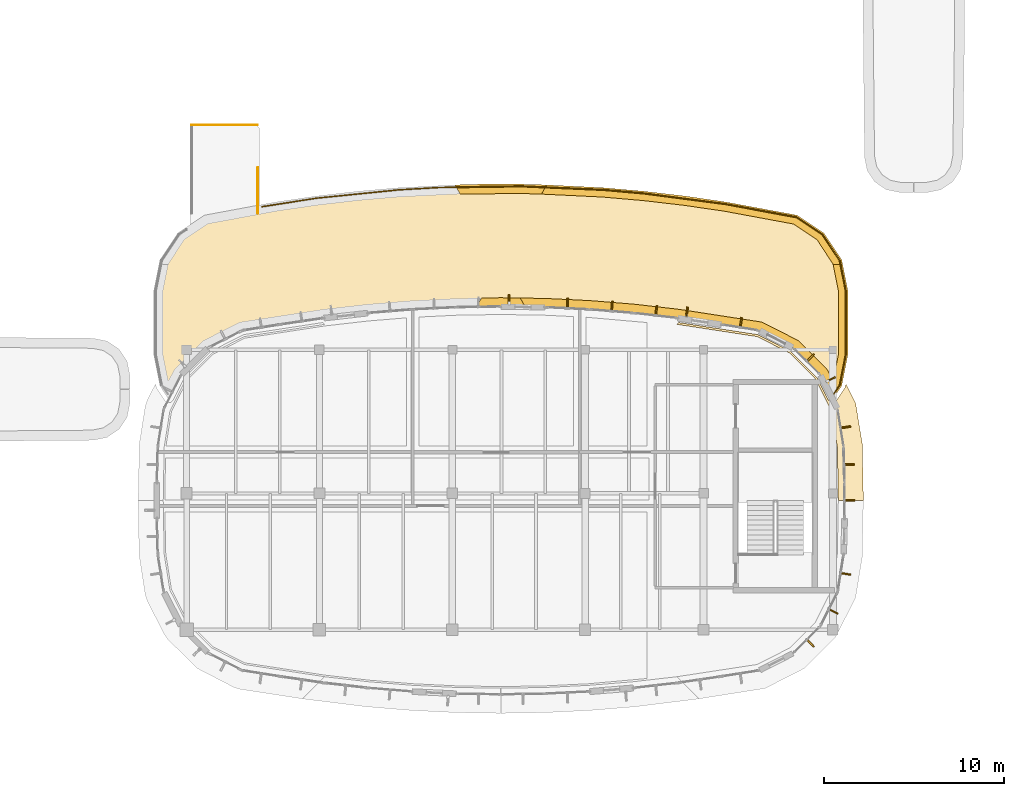
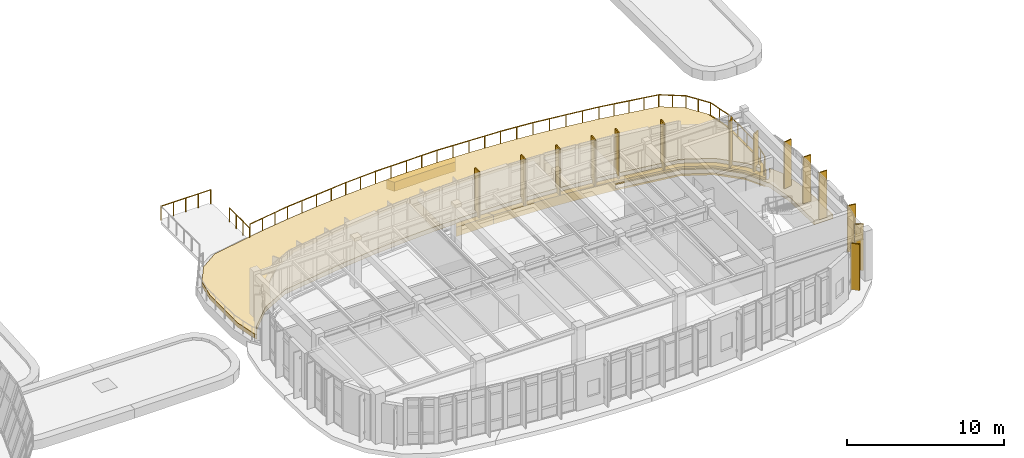
# One storey, part 101 of 111: 20 coverings, 3 railings, 3 shading devices.
"""IFC4 building model written with IfcOpenShell, lengths in metres."""

from ifc_helpers import new_model, si_unit, direction, frame, origin, origin_2d, place, context, subcontext, project, spatial, polyline, rectangle, circle, outline, extrude, material, layer, layer_set, type_object, element, save


model = new_model("IFC4")

# Units and contexts
model_context = context("Model", 3, precision=1e-05, world=origin(), true_north=direction((0.0, 1.0)))
body_context = subcontext(model_context, "Body", "Model", "MODEL_VIEW")
ifc_project = project(units=[si_unit("LENGTHUNIT", "METRE"), si_unit("AREAUNIT", "SQUARE_METRE"), si_unit("VOLUMEUNIT", "CUBIC_METRE"), si_unit("PLANEANGLEUNIT", "RADIAN"), si_unit("MASSUNIT", "GRAM", prefix="KILO")], contexts=[model_context])

# Site, building, storey
site_placement = place(None, origin())
site = spatial("IfcSite", under=ifc_project, at=site_placement, CompositionType="ELEMENT")
building_placement = place(site_placement, origin())
building = spatial("IfcBuilding", under=site, at=building_placement, Name="Corveleigh Park Community Centre", CompositionType="ELEMENT")
storey_placement = place(building_placement, frame((0.0, 0.0, 4.800048828125)))
storey = spatial("IfcBuildingStorey", under=building, at=storey_placement, Name="L01", CompositionType="ELEMENT", Elevation=4.800048828125)

# Coverings
ifc_material_1 = material(Name="Warm buff ribbed architectural cladding", Category="masonry")
ifc_layer_1 = layer(ifc_material_1, 0.0849609375, Name="Warm buff ribbed architectural cladding", Category="masonry")
ifc_layer_set_1 = layer_set([ifc_layer_1], Name="Warm buff ribbed architectural cladding")
covering_type_1 = type_object("IfcCoveringType", Name="COV-CLD-BUF", PredefinedType="CLADDING", material=ifc_layer_set_1)
covering_1_placement = place(storey_placement, origin())
element("IfcCovering", 1, at=covering_1_placement, inside=storey, type_object=covering_type_1, Name="V3 L01 Brise-soleil blade 210", PredefinedType="CLADDING", context=body_context, shape_type="SweptSolid", body=[
    extrude(outline(polyline([(106.56494140625, 10.695068359375), (106.5048828125, 10.635009765625), (106.9150390625, 10.22509765625), (106.97509765625, 10.284912109375), (106.56494140625, 10.695068359375)])), origin(), (0.0, 0.0, 1.0), 3.619873046875),
])
covering_2_placement = place(storey_placement, origin())
element("IfcCovering", 2, at=covering_2_placement, inside=storey, type_object=covering_type_1, Name="V3 L01 Brise-soleil blade 211", PredefinedType="CLADDING", context=body_context, shape_type="SweptSolid", body=[
    extrude(outline(polyline([(107.784912109375, 12.39794921875), (107.7470703125, 12.322021484375), (108.263916015625, 12.05908203125), (108.302001953125, 12.135009765625), (107.784912109375, 12.39794921875)])), origin(), (0.0, 0.0, 1.0), 3.619873046875),
])
covering_3_placement = place(storey_placement, origin())
element("IfcCovering", 3, at=covering_3_placement, inside=storey, type_object=covering_type_1, Name="V3 L01 Brise-soleil blade 212", PredefinedType="CLADDING", context=body_context, shape_type="SweptSolid", body=[
    extrude(outline(polyline([(108.422119140625, 14.404052734375), (108.408935546875, 14.320068359375), (108.98095703125, 14.22900390625), (108.9951171875, 14.31298828125), (108.422119140625, 14.404052734375)])), origin(), (0.0, 0.0, 1.0), 3.619873046875),
])
covering_4_placement = place(storey_placement, origin())
element("IfcCovering", 4, at=covering_4_placement, inside=storey, type_object=covering_type_1, Name="V3 L01 Brise-soleil blade 213", PredefinedType="CLADDING", context=body_context, shape_type="SweptSolid", body=[
    extrude(outline(polyline([(108.632080078125, 18.44189453125), (108.632080078125, 18.35693359375), (109.2119140625, 18.35693359375), (109.2119140625, 18.44189453125), (108.632080078125, 18.44189453125)])), origin(), (0.0, 0.0, 1.0), 3.656982421875),
])
covering_5_placement = place(storey_placement, origin())
element("IfcCovering", 5, at=covering_5_placement, inside=storey, type_object=covering_type_1, Name="V3 L01 Brise-soleil blade 214", PredefinedType="CLADDING", context=body_context, shape_type="SweptSolid", body=[
    extrude(outline(polyline([(108.60498046875, 20.43701171875), (108.60693359375, 20.35205078125), (109.18701171875, 20.366943359375), (109.18505859375, 20.451904296875), (108.60498046875, 20.43701171875)])), origin(), (0.0, 0.0, 1.0), 3.656982421875),
])
covering_6_placement = place(storey_placement, origin())
element("IfcCovering", 6, at=covering_6_placement, inside=storey, type_object=covering_type_1, Name="V3 L01 Brise-soleil blade 215", PredefinedType="CLADDING", context=body_context, shape_type="SweptSolid", body=[
    extrude(outline(polyline([(108.408935546875, 22.47998046875), (108.422119140625, 22.39599609375), (108.9951171875, 22.487060546875), (108.98095703125, 22.571044921875), (108.408935546875, 22.47998046875)])), origin(), (0.0, 0.0, 1.0), 3.656982421875),
])
covering_7_placement = place(storey_placement, origin())
element("IfcCovering", 7, at=covering_7_placement, inside=storey, type_object=covering_type_1, Name="V3 L01 Brise-soleil blade 216", PredefinedType="CLADDING", context=body_context, shape_type="SweptSolid", body=[
    extrude(outline(polyline([(107.64111328125, 25.070068359375), (107.679931640625, 24.9951171875), (108.156005859375, 25.238037109375), (108.117919921875, 25.31298828125), (107.64111328125, 25.070068359375)])), origin(), (0.0, 0.0, 1.0), 2.969970703125),
])
covering_8_placement = place(storey_placement, origin())
element("IfcCovering", 8, at=covering_8_placement, inside=storey, type_object=covering_type_1, Name="V3 L01 Brise-soleil blade 217", PredefinedType="CLADDING", context=body_context, shape_type="SweptSolid", body=[
    extrude(outline(polyline([(106.5048828125, 26.1650390625), (106.56494140625, 26.10498046875), (106.97509765625, 26.514892578125), (106.9150390625, 26.574951171875), (106.5048828125, 26.1650390625)])), origin(), (0.0, 0.0, 1.0), 3.656982421875),
])
covering_9_placement = place(storey_placement, origin())
element("IfcCovering", 9, at=covering_9_placement, inside=storey, type_object=covering_type_1, Name="V3 L01 Brise-soleil blade 218", PredefinedType="CLADDING", context=body_context, shape_type="SweptSolid", body=[
    extrude(outline(polyline([(102.7900390625, 28.02294921875), (102.8740234375, 28.010009765625), (102.965087890625, 28.58203125), (102.881103515625, 28.595947265625), (102.7900390625, 28.02294921875)])), origin(), (0.0, 0.0, 1.0), 3.612060546875),
])
covering_10_placement = place(storey_placement, origin())
element("IfcCovering", 10, at=covering_10_placement, inside=storey, type_object=covering_type_1, Name="V3 L01 Brise-soleil blade 219", PredefinedType="CLADDING", context=body_context, shape_type="SweptSolid", body=[
    extrude(outline(polyline([(99.791015625, 28.654052734375), (99.875, 28.64111328125), (99.952880859375, 29.1708984375), (99.868896484375, 29.18310546875), (99.791015625, 28.654052734375)])), origin(), (0.0, 0.0, 1.0), 3.612060546875),
])
covering_11_placement = place(storey_placement, origin())
element("IfcCovering", 11, at=covering_11_placement, inside=storey, type_object=covering_type_1, Name="V3 L01 Brise-soleil blade 220", PredefinedType="CLADDING", context=body_context, shape_type="SweptSolid", body=[
    extrude(outline(polyline([(98.083984375, 28.68603515625), (98.16796875, 28.677001953125), (98.23388671875, 29.2529296875), (98.14990234375, 29.262939453125), (98.083984375, 28.68603515625)])), origin(), (0.0, 0.0, 1.0), 3.612060546875),
])
covering_12_placement = place(storey_placement, origin())
element("IfcCovering", 12, at=covering_12_placement, inside=storey, type_object=covering_type_1, Name="V3 L01 Brise-soleil blade 221", PredefinedType="CLADDING", context=body_context, shape_type="SweptSolid", body=[
    extrude(outline(polyline([(95.6259765625, 28.926025390625), (95.7099609375, 28.9189453125), (95.757080078125, 29.4970703125), (95.673095703125, 29.50390625), (95.6259765625, 28.926025390625)])), origin(), (0.0, 0.0, 1.0), 3.612060546875),
])
covering_13_placement = place(storey_placement, origin())
element("IfcCovering", 13, at=covering_13_placement, inside=storey, type_object=covering_type_1, Name="V3 L01 Brise-soleil blade 222", PredefinedType="CLADDING", context=body_context, shape_type="SweptSolid", body=[
    extrude(outline(polyline([(93.160888671875, 29.0849609375), (93.2451171875, 29.0810546875), (93.27392578125, 29.659912109375), (93.18896484375, 29.6640625), (93.160888671875, 29.0849609375)])), origin(), (0.0, 0.0, 1.0), 3.612060546875),
])
covering_14_placement = place(storey_placement, origin())
element("IfcCovering", 14, at=covering_14_placement, inside=storey, type_object=covering_type_1, Name="V3 L01 Brise-soleil blade 223", PredefinedType="CLADDING", context=body_context, shape_type="SweptSolid", body=[
    extrude(outline(polyline([(89.9189453125, 29.3310546875), (90.00390625, 29.330078125), (90.011962890625, 29.864990234375), (89.927001953125, 29.865966796875), (89.9189453125, 29.3310546875)])), origin(), (0.0, 0.0, 1.0), 3.612060546875),
])
ifc_material_2 = material(Name="White architectural fascia cladding", Category="masonry")
ifc_layer_2 = layer(ifc_material_2, 0.074951171875, Name="White architectural fascia cladding", Category="masonry")
ifc_layer_set_2 = layer_set([ifc_layer_2], Name="White architectural fascia cladding")
covering_type_2 = type_object("IfcCoveringType", Name="COV-CLD-WHT", PredefinedType="CLADDING", material=ifc_layer_set_2)
covering_15_placement = place(storey_placement, frame((0.0, 0.0, -0.679931640625)))
element("IfcCovering", 15, at=covering_15_placement, inside=storey, type_object=covering_type_2, Name="Banquet Courtyard Roof Terrace Sweeping White Edge Band 1", PredefinedType="CLADDING", context=body_context, shape_type="SweptSolid", body=[
    extrude(outline(polyline([(92.06494140625, 35.98193359375), (95.208984375, 35.824951171875), (97.486083984375, 35.626953125), (99.758056640625, 35.363037109375), (102.02099609375, 35.032958984375), (106.008056640625, 34.2939453125), (107.4990234375, 33.299072265625), (108.488037109375, 31.822021484375), (108.5439453125, 31.55810546875), (108.013916015625, 31.55810546875), (107.125, 32.925048828125), (105.81298828125, 33.802978515625), (101.93798828125, 34.52001953125), (99.69091796875, 34.846923828125), (97.43408203125, 35.10888671875), (95.172119140625, 35.305908203125), (91.76904296875, 35.469970703125), (92.06494140625, 35.98193359375)])), origin(), (0.0, 0.0, 1.0), 0.719970703125),
])
covering_16_placement = place(storey_placement, frame((0.0, 0.0, -0.679931640625)))
element("IfcCovering", 16, at=covering_16_placement, inside=storey, type_object=covering_type_2, Name="Banquet Courtyard Roof Terrace Sweeping White Edge Band 2", PredefinedType="CLADDING", context=body_context, shape_type="SweptSolid", body=[
    extrude(outline(polyline([(88.35693359375, 36.02294921875), (90.64208984375, 36.02294921875), (92.05908203125, 35.98193359375), (91.763916015625, 35.469970703125), (90.635009765625, 35.5029296875), (87.240966796875, 35.470947265625), (86.946044921875, 35.98193359375), (88.35693359375, 36.02294921875)])), origin(), (0.0, 0.0, 1.0), 0.719970703125),
])
covering_17_placement = place(storey_placement, frame((0.0, 0.0, -0.679931640625)))
element("IfcCovering", 17, at=covering_17_placement, inside=storey, type_object=covering_type_2, Name="Banquet Courtyard Roof Terrace Sweeping White Edge Band 5", PredefinedType="CLADDING", context=body_context, shape_type="SweptSolid", body=[
    extrude(outline(polyline([(90.883056640625, 29.156005859375), (88.1220703125, 29.156005859375), (88.425048828125, 29.680908203125), (89.508056640625, 29.697998046875), (90.580078125, 29.680908203125), (90.883056640625, 29.156005859375)])), origin(), (0.0, 0.0, 1.0), 0.719970703125),
])
covering_18_placement = place(storey_placement, frame((0.0, 0.0, -0.679931640625)))
element("IfcCovering", 18, at=covering_18_placement, inside=storey, type_object=covering_type_2, Name="Banquet Courtyard Roof Terrace Sweeping White Edge Band 6", PredefinedType="CLADDING", context=body_context, shape_type="SweptSolid", body=[
    extrude(outline(polyline([(108.839111328125, 30.072021484375), (108.839111328125, 26.528076171875), (108.491943359375, 24.784912109375), (107.98291015625, 24.052978515625), (107.280029296875, 25.382080078125), (105.783935546875, 26.87890625), (103.89306640625, 27.842041015625), (99.35302734375, 28.535888671875), (96.89892578125, 28.81689453125), (94.43603515625, 29.01806640625), (90.885986328125, 29.156005859375), (90.5830078125, 29.680908203125), (91.992919921875, 29.656982421875), (94.4619140625, 29.537109375), (96.9580078125, 29.333984375), (99.430908203125, 29.050048828125), (104.052001953125, 28.337890625), (106.090087890625, 27.300048828125), (107.653076171875, 25.7451171875), (108.02001953125, 25.074951171875), (108.320068359375, 26.5830078125), (108.320068359375, 30.01708984375), (108.01708984375, 31.5400390625), (108.548095703125, 31.5390625), (108.839111328125, 30.072021484375)])), origin(), (0.0, 0.0, 1.0), 0.719970703125),
])
covering_19_placement = place(storey_placement, frame((0.0, 0.0, -0.300048828125)))
element("IfcCovering", 19, at=covering_19_placement, inside=storey, type_object=covering_type_2, Name="V3 L01 Horizontal Sun-Hood 1", PredefinedType="CLADDING", context=body_context, shape_type="SweptSolid", body=[
    extrude(outline(polyline([(103.826904296875, 27.639892578125), (105.658935546875, 26.70703125), (107.10791015625, 25.257080078125), (107.759033203125, 23.97998046875), (107.861083984375, 23.8740234375), (108.029052734375, 23.846923828125), (108.175048828125, 23.93408203125), (108.675048828125, 24.681884765625), (108.73095703125, 24.904052734375), (109.26611328125, 23.825927734375), (109.636962890625, 21.56396484375), (109.701904296875, 18.409912109375), (108.302001953125, 18.408935546875), (108.2509765625, 21.367919921875), (107.929931640625, 23.39111328125), (107.013916015625, 25.18896484375), (105.589111328125, 26.614013671875), (103.791015625, 27.530029296875), (99.322021484375, 28.2119140625), (99.423095703125, 28.31298828125), (103.826904296875, 27.639892578125)])), origin(), (0.0, 0.0, 1.0), 0.340087890625),
])
ifc_material_3 = material(Name="Extensive sedum roof build-up", Category="masonry")
ifc_layer_3 = layer(ifc_material_3, 0.35009765625, Name="Extensive sedum roof build-up", Category="masonry")
ifc_layer_set_3 = layer_set([ifc_layer_3], Name="Extensive sedum roof build-up")
covering_type_3 = type_object("IfcCoveringType", Name="COV-ROF-GRN", PredefinedType="ROOFING", material=ifc_layer_set_3)
covering_20_placement = place(storey_placement, origin())
element("IfcCovering", 20, at=covering_20_placement, inside=storey, type_object=covering_type_3, Name="Banquet Courtyard Roof Terrace sedum build-up", PredefinedType="ROOFING", context=body_context, shape_type="SweptSolid", body=[
    extrude(outline(polyline([(70.875, 24.93701171875), (70.550048828125, 26.570068359375), (70.550048828125, 30.030029296875), (70.875, 31.6630859375), (71.781005859375, 33.01904296875), (73.135009765625, 33.924072265625), (77.04296875, 34.64892578125), (79.2919921875, 34.97607421875), (81.552001953125, 35.239013671875), (83.818115234375, 35.43603515625), (86.089111328125, 35.56689453125), (88.363037109375, 35.633056640625), (90.636962890625, 35.633056640625), (92.910888671875, 35.56689453125), (95.181884765625, 35.43603515625), (97.447998046875, 35.239013671875), (99.7080078125, 34.97607421875), (101.958984375, 34.64794921875), (105.863037109375, 33.925048828125), (107.218994140625, 33.01904296875), (108.125, 31.6630859375), (108.449951171875, 30.030029296875), (108.449951171875, 26.570068359375), (108.125, 24.93701171875), (108.02294921875, 24.783935546875), (107.5849609375, 25.6259765625), (106.028076171875, 27.18408203125), (103.993896484375, 28.218994140625), (99.410888671875, 28.922119140625), (96.930908203125, 29.2060546875), (94.4560546875, 29.407958984375), (91.987060546875, 29.528076171875), (89.506103515625, 29.568115234375), (87.02392578125, 29.528076171875), (84.5439453125, 29.407958984375), (82.070068359375, 29.2060546875), (79.589111328125, 28.922119140625), (75.008056640625, 28.219970703125), (72.971923828125, 27.18408203125), (71.4150390625, 25.6259765625), (70.97705078125, 24.783935546875), (70.875, 24.93701171875)])), origin(), (0.0, 0.0, 1.0), 0.349853515625),
])

# Railings
ifc_material_4 = material(Name="Stainless steel 316 balustrade", Category="steel")
railing_type = type_object("IfcRailingType", Name="RLG-BAL-EXT-1100", PredefinedType="BALUSTRADE", material=ifc_material_4)
railing_1_placement = place(storey_placement, frame((72.280029296875, 39.320068359375, 0.0)))
element("IfcRailing", 21, at=railing_1_placement, inside=storey, type_object=railing_type, Name="Promenade Landing Guard RLG-PRMLND4-N", PredefinedType="BALUSTRADE", context=body_context, shape_type="SweptSolid", body=[
    extrude(circle(Radius=0.02392578125, at=origin_2d()), frame((0.0, 0.0, 1.076171875), z_axis=(1.0, 0.0, 0.0), x_axis=(0.0, 1.0, 0.0)), (0.0, 0.0, 1.0), 3.669921875),
    extrude(circle(Radius=0.02099609375, at=origin_2d()), origin(), (0.0, 0.0, 1.0), 1.052001953125),
    extrude(circle(Radius=0.02099609375, at=origin_2d()), frame((0.91748046875, 0.0, 0.0)), (0.0, 0.0, 1.0), 1.052001953125),
    extrude(circle(Radius=0.02099609375, at=origin_2d()), frame((1.8349609375, 0.0, 0.0)), (0.0, 0.0, 1.0), 1.052001953125),
    extrude(circle(Radius=0.02099609375, at=origin_2d()), frame((2.75244140625, 0.0, 0.0)), (0.0, 0.0, 1.0), 1.052001953125),
    extrude(circle(Radius=0.02099609375, at=origin_2d()), frame((3.669921875, 0.0, 0.0)), (0.0, 0.0, 1.0), 1.052001953125),
])
railing_2_placement = place(storey_placement, frame((75.969970703125, 34.39990234375, 0.0)))
element("IfcRailing", 22, at=railing_2_placement, inside=storey, type_object=railing_type, Name="Promenade Landing Guard RLG-PRMLND4-E", PredefinedType="BALUSTRADE", context=body_context, shape_type="SweptSolid", body=[
    extrude(circle(Radius=0.02392578125, at=origin_2d()), frame((0.0, 0.0, 1.076171875), z_axis=(0.0, 1.0, 0.0), x_axis=(-1.0, 0.0, 0.0)), (0.0, 0.0, 1.0), 2.550048828125),
    extrude(circle(Radius=0.02099609375, at=origin_2d()), origin(), (0.0, 0.0, 1.0), 1.052001953125),
    extrude(circle(Radius=0.02099609375, at=origin_2d()), frame((0.0, 0.85009765625, 0.0)), (0.0, 0.0, 1.0), 1.052001953125),
    extrude(circle(Radius=0.02099609375, at=origin_2d()), frame((0.0, 1.699951171875, 0.0)), (0.0, 0.0, 1.0), 1.052001953125),
    extrude(circle(Radius=0.02099609375, at=origin_2d()), frame((0.0, 2.550048828125, 0.0)), (0.0, 0.0, 1.0), 1.052001953125),
])
railing_3_placement = place(storey_placement, frame((76.199951171875, 34.76708984375, 0.0)))
element("IfcRailing", 23, at=railing_3_placement, inside=storey, type_object=railing_type, Name="Banquet Courtyard Roof Terrace guard 5", PredefinedType="BALUSTRADE", context=body_context, shape_type="SweptSolid", body=[
    extrude(circle(Radius=0.02392578125, at=origin_2d()), frame((0.0, 0.0, 1.076171875), z_axis=(0.988054870903, 0.154102472678, 0.0), x_axis=(-0.154102472678, 0.988054870903, 0.0)), (0.0, 0.0, 1.0), 3.093994140625),
    extrude(circle(Radius=0.02392578125, at=origin_2d()), frame((3.05712890625, 0.476806640625, 1.076171875), z_axis=(0.994884608251, 0.10101790072, 0.0), x_axis=(-0.10101790072, 0.994884608251, 0.0)), (0.0, 0.0, 1.0), 4.5654296875),
    extrude(circle(Radius=0.02392578125, at=origin_2d()), frame((7.59912109375, 0.93798828125, 1.076171875), z_axis=(0.998329275678, 0.057781115634, 0.0), x_axis=(-0.057781115634, 0.998329275678, 0.0)), (0.0, 0.0, 1.0), 2.28173828125),
    extrude(circle(Radius=0.02392578125, at=origin_2d()), frame((9.876953125, 1.06982421875, 1.076171875), z_axis=(0.999894951656, 0.014494331741, 0.0), x_axis=(-0.014494331741, 0.999894951656, 0.0)), (0.0, 0.0, 1.0), 4.564697265625),
    extrude(circle(Radius=0.02392578125, at=origin_2d()), frame((14.441162109375, 1.135986328125, 1.076171875), z_axis=(0.999058579053, -0.043381512428, 0.0), x_axis=(0.043381512428, 0.999058579053, 0.0)), (0.0, 0.0, 1.0), 4.564208984375),
    extrude(circle(Radius=0.02392578125, at=origin_2d()), frame((19.0009765625, 0.93798828125, 1.076171875), z_axis=(0.996231352408, -0.086735762405, 0.0), x_axis=(0.086735762405, 0.996231352408, 0.0)), (0.0, 0.0, 1.0), 2.28271484375),
    extrude(circle(Radius=0.02392578125, at=origin_2d()), frame((21.275146484375, 0.739990234375, 1.076171875), z_axis=(0.991552323347, -0.129707324637, 0.0), x_axis=(0.129707324637, 0.991552323347, 0.0)), (0.0, 0.0, 1.0), 4.564453125),
    extrude(circle(Radius=0.02392578125, at=origin_2d()), frame((25.801025390625, 0.14794921875, 1.076171875), z_axis=(0.983269164832, -0.182158583357, 0.0), x_axis=(0.182158583357, 0.983269164832, 0.0)), (0.0, 0.0, 1.0), 4.03564453125),
    extrude(circle(Radius=0.02392578125, at=origin_2d()), frame((29.76904296875, -0.587158203125, 1.076171875), z_axis=(0.830903117908, -0.556417117504, 0.0), x_axis=(0.556417117504, 0.830903117908, 0.0)), (0.0, 0.0, 1.0), 1.738037109375),
    extrude(circle(Radius=0.02392578125, at=origin_2d()), frame((31.213134765625, -1.55419921875, 1.076171875), z_axis=(0.556385072784, -0.830924575869, 0.0), x_axis=(0.830924575869, 0.556385072784, 0.0)), (0.0, 0.0, 1.0), 1.737548828125),
    extrude(circle(Radius=0.02392578125, at=origin_2d()), frame((32.179931640625, -2.998046875, 1.076171875), z_axis=(0.194718103117, -0.980859245926, 0.0), x_axis=(0.980859245926, 0.194718103117, 0.0)), (0.0, 0.0, 1.0), 1.74658203125),
    extrude(circle(Radius=0.02392578125, at=origin_2d()), frame((32.52001953125, -4.711181640625, 1.076171875), z_axis=(0.0, -1.0, 0.0), x_axis=(1.0, 0.0, 0.0)), (0.0, 0.0, 1.0), 3.511962890625),
    extrude(circle(Radius=0.02392578125, at=origin_2d()), frame((32.52001953125, -8.22314453125, 1.076171875), z_axis=(-0.194744804061, -0.980853944933, 0.0), x_axis=(0.980853944933, -0.194744804061, 0.0)), (0.0, 0.0, 1.0), 1.746337890625),
    extrude(circle(Radius=0.02392578125, at=origin_2d()), frame((32.179931640625, -9.93603515625, 1.076171875), z_axis=(-0.556200509324, -0.831048129429, 0.0), x_axis=(0.831048129429, -0.556200509324, 0.0)), (0.0, 0.0, 1.0), 0.6005859375),
    extrude(circle(Radius=0.02099609375, at=origin_2d()), origin(), (0.0, 0.0, 1.0), 1.052001953125),
    extrude(circle(Radius=0.02099609375, at=origin_2d()), frame((1.01904296875, 0.158935546875, 0.0)), (0.0, 0.0, 1.0), 1.052001953125),
    extrude(circle(Radius=0.02099609375, at=origin_2d()), frame((2.0380859375, 0.31787109375, 0.0)), (0.0, 0.0, 1.0), 1.052001953125),
    extrude(circle(Radius=0.02099609375, at=origin_2d()), frame((3.05712890625, 0.476806640625, 0.0)), (0.0, 0.0, 1.0), 1.052001953125),
    extrude(circle(Radius=0.02099609375, at=origin_2d()), frame((4.192626953125, 0.592041015625, 0.0)), (0.0, 0.0, 1.0), 1.052001953125),
    extrude(circle(Radius=0.02099609375, at=origin_2d()), frame((5.328125, 0.70751953125, 0.0)), (0.0, 0.0, 1.0), 1.052001953125),
    extrude(circle(Radius=0.02099609375, at=origin_2d()), frame((6.463623046875, 0.82275390625, 0.0)), (0.0, 0.0, 1.0), 1.052001953125),
    extrude(circle(Radius=0.02099609375, at=origin_2d()), frame((7.59912109375, 0.93798828125, 0.0)), (0.0, 0.0, 1.0), 1.052001953125),
    extrude(circle(Radius=0.02099609375, at=origin_2d()), frame((8.738037109375, 1.00390625, 0.0)), (0.0, 0.0, 1.0), 1.052001953125),
    extrude(circle(Radius=0.02099609375, at=origin_2d()), frame((9.876953125, 1.06982421875, 0.0)), (0.0, 0.0, 1.0), 1.052001953125),
    extrude(circle(Radius=0.02099609375, at=origin_2d()), frame((11.01806640625, 1.08642578125, 0.0)), (0.0, 0.0, 1.0), 1.052001953125),
    extrude(circle(Radius=0.02099609375, at=origin_2d()), frame((12.1591796875, 1.10302734375, 0.0)), (0.0, 0.0, 1.0), 1.052001953125),
    extrude(circle(Radius=0.02099609375, at=origin_2d()), frame((13.300048828125, 1.119384765625, 0.0)), (0.0, 0.0, 1.0), 1.052001953125),
    extrude(circle(Radius=0.02099609375, at=origin_2d()), frame((14.441162109375, 1.135986328125, 0.0)), (0.0, 0.0, 1.0), 1.052001953125),
    extrude(circle(Radius=0.02099609375, at=origin_2d()), frame((15.5810546875, 1.08642578125, 0.0)), (0.0, 0.0, 1.0), 1.052001953125),
    extrude(circle(Radius=0.02099609375, at=origin_2d()), frame((16.72119140625, 1.037109375, 0.0)), (0.0, 0.0, 1.0), 1.052001953125),
    extrude(circle(Radius=0.02099609375, at=origin_2d()), frame((17.861083984375, 0.987548828125, 0.0)), (0.0, 0.0, 1.0), 1.052001953125),
    extrude(circle(Radius=0.02099609375, at=origin_2d()), frame((19.0009765625, 0.93798828125, 0.0)), (0.0, 0.0, 1.0), 1.052001953125),
    extrude(circle(Radius=0.02099609375, at=origin_2d()), frame((20.13818359375, 0.8388671875, 0.0)), (0.0, 0.0, 1.0), 1.052001953125),
    extrude(circle(Radius=0.02099609375, at=origin_2d()), frame((21.275146484375, 0.739990234375, 0.0)), (0.0, 0.0, 1.0), 1.052001953125),
    extrude(circle(Radius=0.02099609375, at=origin_2d()), frame((22.40673828125, 0.592041015625, 0.0)), (0.0, 0.0, 1.0), 1.052001953125),
    extrude(circle(Radius=0.02099609375, at=origin_2d()), frame((23.5380859375, 0.44384765625, 0.0)), (0.0, 0.0, 1.0), 1.052001953125),
    extrude(circle(Radius=0.02099609375, at=origin_2d()), frame((24.66943359375, 0.2958984375, 0.0)), (0.0, 0.0, 1.0), 1.052001953125),
    extrude(circle(Radius=0.02099609375, at=origin_2d()), frame((25.801025390625, 0.14794921875, 0.0)), (0.0, 0.0, 1.0), 1.052001953125),
    extrude(circle(Radius=0.02099609375, at=origin_2d()), frame((26.79296875, -0.035888671875, 0.0)), (0.0, 0.0, 1.0), 1.052001953125),
    extrude(circle(Radius=0.02099609375, at=origin_2d()), frame((27.78515625, -0.2197265625, 0.0)), (0.0, 0.0, 1.0), 1.052001953125),
    extrude(circle(Radius=0.02099609375, at=origin_2d()), frame((28.777099609375, -0.4033203125, 0.0)), (0.0, 0.0, 1.0), 1.052001953125),
    extrude(circle(Radius=0.02099609375, at=origin_2d()), frame((29.76904296875, -0.587158203125, 0.0)), (0.0, 0.0, 1.0), 1.052001953125),
    extrude(circle(Radius=0.02099609375, at=origin_2d()), frame((30.4912109375, -1.07080078125, 0.0)), (0.0, 0.0, 1.0), 1.052001953125),
    extrude(circle(Radius=0.02099609375, at=origin_2d()), frame((31.213134765625, -1.55419921875, 0.0)), (0.0, 0.0, 1.0), 1.052001953125),
    extrude(circle(Radius=0.02099609375, at=origin_2d()), frame((31.696533203125, -2.276123046875, 0.0)), (0.0, 0.0, 1.0), 1.052001953125),
    extrude(circle(Radius=0.02099609375, at=origin_2d()), frame((32.179931640625, -2.998046875, 0.0)), (0.0, 0.0, 1.0), 1.052001953125),
    extrude(circle(Radius=0.02099609375, at=origin_2d()), frame((32.35009765625, -3.8544921875, 0.0)), (0.0, 0.0, 1.0), 1.052001953125),
    extrude(circle(Radius=0.02099609375, at=origin_2d()), frame((32.52001953125, -4.711181640625, 0.0)), (0.0, 0.0, 1.0), 1.052001953125),
    extrude(circle(Radius=0.02099609375, at=origin_2d()), frame((32.52001953125, -5.8818359375, 0.0)), (0.0, 0.0, 1.0), 1.052001953125),
    extrude(circle(Radius=0.02099609375, at=origin_2d()), frame((32.52001953125, -7.052490234375, 0.0)), (0.0, 0.0, 1.0), 1.052001953125),
    extrude(circle(Radius=0.02099609375, at=origin_2d()), frame((32.52001953125, -8.22314453125, 0.0)), (0.0, 0.0, 1.0), 1.052001953125),
    extrude(circle(Radius=0.02099609375, at=origin_2d()), frame((32.35009765625, -9.07958984375, 0.0)), (0.0, 0.0, 1.0), 1.052001953125),
    extrude(circle(Radius=0.02099609375, at=origin_2d()), frame((32.179931640625, -9.93603515625, 0.0)), (0.0, 0.0, 1.0), 1.052001953125),
    extrude(circle(Radius=0.02099609375, at=origin_2d()), frame((31.845947265625, -10.43505859375, 0.0)), (0.0, 0.0, 1.0), 1.052001953125),
])

# Shading devices
ifc_material_5 = material(Name="Terracotta-anodised aluminium fin", Category="masonry")
shading_device_type_1 = type_object("IfcShadingDeviceType", Name="SHD-FIN-TER-350", PredefinedType="USERDEFINED", material=ifc_material_5)
shading_device_1_placement = place(storey_placement, frame((99.861083984375, 28.8359375, 0.25), z_axis=(0.0, 0.0, 1.0), x_axis=(0.146268101327, 0.989244986105, 0.0)))
element("IfcShadingDevice", 24, at=shading_device_1_placement, inside=storey, type_object=shading_device_type_1, Name="Terracotta brise-soleil fin 37", ObjectType="FIN", PredefinedType="USERDEFINED", context=body_context, shape_type="SweptSolid", body=[
    extrude(rectangle(XDim=0.35009765625, YDim=0.06005859375, at=origin_2d()), origin(), (0.0, 0.0, 1.0), 3.2119140625),
])
shading_device_type_2 = type_object("IfcShadingDeviceType", Name="SHD-FIN-TER-450", PredefinedType="USERDEFINED", material=ifc_material_5)
shading_device_2_placement = place(storey_placement, frame((107.830078125, 25.118896484375, 0.25), z_axis=(0.0, 0.0, 1.0), x_axis=(0.890890679418, 0.454217786228, 0.0)))
element("IfcShadingDevice", 25, at=shading_device_2_placement, inside=storey, type_object=shading_device_type_2, Name="Terracotta brise-soleil fin 36", ObjectType="FIN", PredefinedType="USERDEFINED", context=body_context, shape_type="SweptSolid", body=[
    extrude(rectangle(XDim=0.449951171875, YDim=0.06494140625, at=origin_2d()), origin(), (0.0, 0.0, 1.0), 2.570068359375),
])
shading_device_3_placement = place(storey_placement, frame((89.964111328125, 29.52099609375, 0.25), z_axis=(0.0, 0.0, 1.0), x_axis=(0.016311043488, 0.999866966081, 0.0)))
element("IfcShadingDevice", 26, at=shading_device_3_placement, inside=storey, type_object=shading_device_type_2, Name="Terracotta brise-soleil fin 38", ObjectType="FIN", PredefinedType="USERDEFINED", context=body_context, shape_type="SweptSolid", body=[
    extrude(rectangle(XDim=0.449951171875, YDim=0.06494140625, at=origin_2d()), origin(), (0.0, 0.0, 1.0), 3.2119140625),
])

save(model, "model.ifc")
